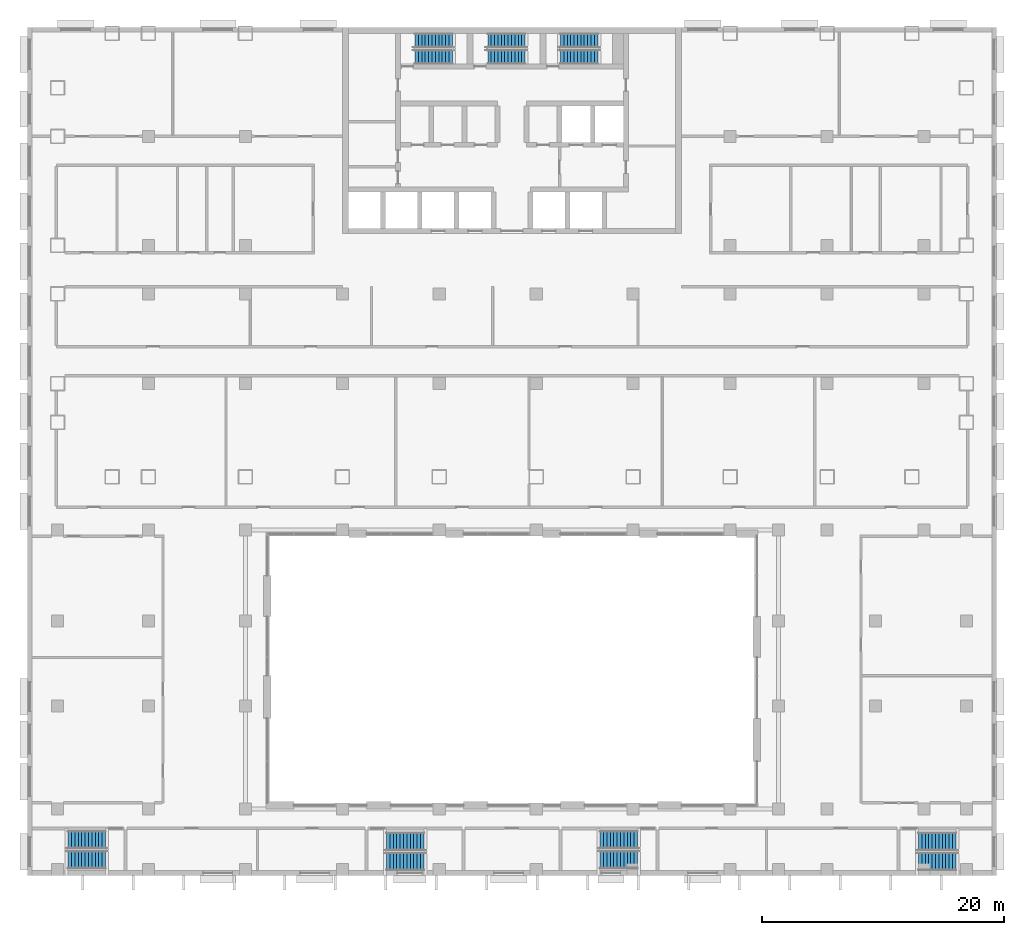
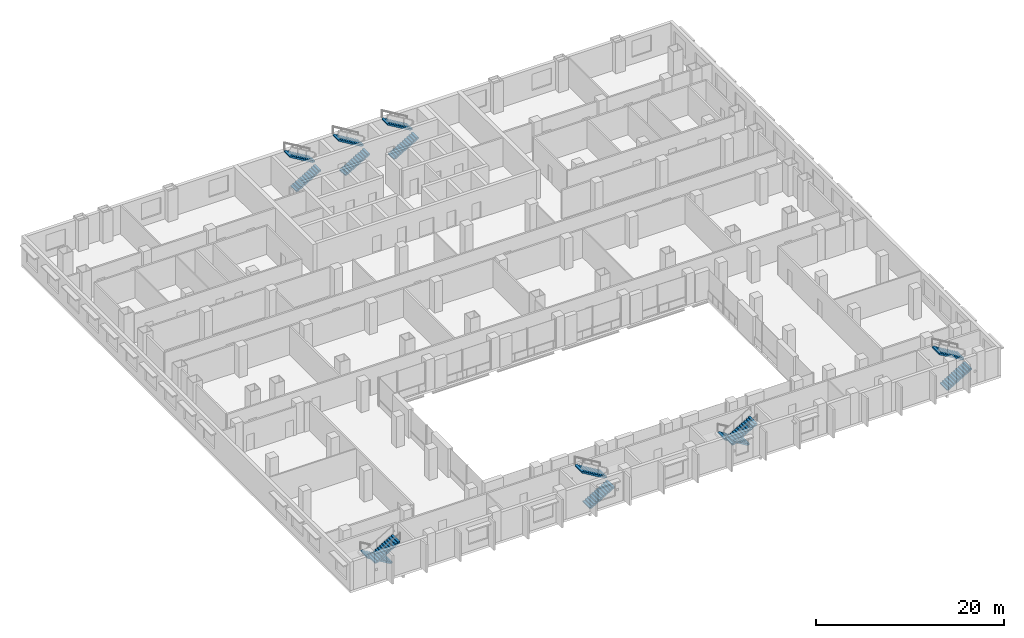
# One storey, part 16 of 25: 14 stair flights, 7 elements without a shape of their own.
"""IFC4 building model written with IfcOpenShell, lengths in metres."""

from ifc_helpers import new_model, si_unit, direction, frame, origin, place, context, subcontext, project, spatial, polyline, outline, extrude, material, type_object, element, aggregate, save


model = new_model("IFC4")

# Units and contexts
model_context = context("Model", 3, precision=1e-05, world=origin(), true_north=direction((0.0, 1.0)))
body_context = subcontext(model_context, "Body", "Model", "MODEL_VIEW")
ifc_project = project(units=[si_unit("LENGTHUNIT", "METRE"), si_unit("AREAUNIT", "SQUARE_METRE"), si_unit("VOLUMEUNIT", "CUBIC_METRE"), si_unit("PLANEANGLEUNIT", "RADIAN"), si_unit("MASSUNIT", "GRAM", prefix="KILO")], contexts=[model_context])

# Site, building, storey
site_placement = place(None, origin())
site = spatial("IfcSite", under=ifc_project, at=site_placement, CompositionType="ELEMENT")
building_placement = place(site_placement, origin())
building = spatial("IfcBuilding", under=site, at=building_placement, Name="Vidyagriha Tower", CompositionType="ELEMENT")
storey_placement = place(building_placement, frame((0.0, 0.0, 18.0)))
storey = spatial("IfcBuildingStorey", under=building, at=storey_placement, Name="L04", CompositionType="ELEMENT", Elevation=18.0)

# Stair, stair flights
ifc_material_1 = material(Name="Concrete C40/50", Category="concrete")
stair_type_1 = type_object("IfcStairType", Name="Exit stair, half-turn, precast flights", PredefinedType="HALF_TURN_STAIR", material=ifc_material_1)
stair_1_placement = place(storey_placement, origin())
stair_1 = element("IfcStair", 1, at=stair_1_placement, inside=storey, type_object=stair_type_1, Name="L04 Exit Stair ST1", PredefinedType="HALF_TURN_STAIR")
ifc_material_2 = material(Name="Precast concrete C40/50", Category="concrete")
stair_flight_type_1 = type_object("IfcStairFlightType", Name="Exit stair flight 1200 mm, precast", PredefinedType="STRAIGHT", material=ifc_material_2)
stair_flight_1_placement = place(storey_placement, frame((-8.0, 17.550048828125, 0.0)))
stair_flight_1 = element("IfcStairFlight", 2, at=stair_flight_1_placement, type_object=stair_flight_type_1, Name="ST1 flight 1", NumberOfRisers=12, NumberOfTreads=11, PredefinedType="STRAIGHT", RiserHeight=0.166666667, TreadLength=0.28, context=body_context, shape_type="SweptSolid", body=[
    extrude(outline(polyline([(0.0, 0.0), (0.0, 0.166748046875), (0.280029296875, 0.166748046875), (0.280029296875, 0.333251953125), (0.56005859375, 0.333251953125), (0.56005859375, 0.5), (0.840087890625, 0.5), (0.840087890625, 0.666748046875), (1.1201171875, 0.666748046875), (1.1201171875, 0.833251953125), (1.39990234375, 0.833251953125), (1.39990234375, 1.0), (1.679931640625, 1.0), (1.679931640625, 1.166748046875), (1.9599609375, 1.166748046875), (1.9599609375, 1.333251953125), (2.239990234375, 1.333251953125), (2.239990234375, 1.5), (2.52001953125, 1.5), (2.52001953125, 1.666748046875), (2.800048828125, 1.666748046875), (2.800048828125, 1.833251953125), (3.080078125, 1.833251953125), (3.080078125, 2.0), (3.080078125, 1.658935546875), (0.29296875, 0.0), (0.0, 0.0)])), frame((0.0, 0.60009765625, 0.0), z_axis=(0.0, -1.0, 0.0), x_axis=(1.0, 0.0, 0.0)), (0.0, 0.0, 1.0), 1.199951171875),
])
stair_flight_2_placement = place(storey_placement, frame((-4.919921875, 18.89990234375, 2.0), z_axis=(0.0, 0.0, 1.0), x_axis=(-1.0, 0.0, 0.0)))
stair_flight_2 = element("IfcStairFlight", 3, at=stair_flight_2_placement, type_object=stair_flight_type_1, Name="ST1 flight 2", NumberOfRisers=12, NumberOfTreads=11, PredefinedType="STRAIGHT", RiserHeight=0.166666667, TreadLength=0.28, context=body_context, shape_type="SweptSolid", body=[
    extrude(outline(polyline([(0.0, 0.0), (0.0, 0.166748046875), (0.280029296875, 0.166748046875), (0.280029296875, 0.333251953125), (0.56005859375, 0.333251953125), (0.56005859375, 0.5), (0.840087890625, 0.5), (0.840087890625, 0.666748046875), (1.1201171875, 0.666748046875), (1.1201171875, 0.833251953125), (1.39990234375, 0.833251953125), (1.39990234375, 1.0), (1.679931640625, 1.0), (1.679931640625, 1.166748046875), (1.9599609375, 1.166748046875), (1.9599609375, 1.333251953125), (2.239990234375, 1.333251953125), (2.239990234375, 1.5), (2.52001953125, 1.5), (2.52001953125, 1.666748046875), (2.800048828125, 1.666748046875), (2.800048828125, 1.833251953125), (3.080078125, 1.833251953125), (3.080078125, 2.0), (3.080078125, 1.658935546875), (0.29296875, 0.0), (0.0, 0.0)])), frame((0.0, 0.60009765625, 0.0), z_axis=(0.0, -1.0, 0.0), x_axis=(1.0, 0.0, 0.0)), (0.0, 0.0, 1.0), 1.199951171875),
])
aggregate(stair_1, [stair_flight_1, stair_flight_2])

stair_2_placement = place(storey_placement, origin())
stair_2 = element("IfcStair", 4, at=stair_2_placement, inside=storey, type_object=stair_type_1, Name="L04 Exit Stair ST2", PredefinedType="HALF_TURN_STAIR")
stair_flight_3_placement = place(storey_placement, frame((-2.0, 17.550048828125, 0.0)))
stair_flight_3 = element("IfcStairFlight", 5, at=stair_flight_3_placement, type_object=stair_flight_type_1, Name="ST2 flight 1", NumberOfRisers=12, NumberOfTreads=11, PredefinedType="STRAIGHT", RiserHeight=0.166666667, TreadLength=0.28, context=body_context, shape_type="SweptSolid", body=[
    extrude(outline(polyline([(0.0, 0.0), (0.0, 0.166748046875), (0.280029296875, 0.166748046875), (0.280029296875, 0.333251953125), (0.56005859375, 0.333251953125), (0.56005859375, 0.5), (0.840087890625, 0.5), (0.840087890625, 0.666748046875), (1.1201171875, 0.666748046875), (1.1201171875, 0.833251953125), (1.39990234375, 0.833251953125), (1.39990234375, 1.0), (1.679931640625, 1.0), (1.679931640625, 1.166748046875), (1.9599609375, 1.166748046875), (1.9599609375, 1.333251953125), (2.239990234375, 1.333251953125), (2.239990234375, 1.5), (2.52001953125, 1.5), (2.52001953125, 1.666748046875), (2.800048828125, 1.666748046875), (2.800048828125, 1.833251953125), (3.080078125, 1.833251953125), (3.080078125, 2.0), (3.080078125, 1.658935546875), (0.29296875, 0.0), (0.0, 0.0)])), frame((0.0, 0.60009765625, 0.0), z_axis=(0.0, -1.0, 0.0), x_axis=(1.0, 0.0, 0.0)), (0.0, 0.0, 1.0), 1.199951171875),
])
stair_flight_4_placement = place(storey_placement, frame((1.080078125, 18.89990234375, 2.0), z_axis=(0.0, 0.0, 1.0), x_axis=(-1.0, 0.0, 0.0)))
stair_flight_4 = element("IfcStairFlight", 6, at=stair_flight_4_placement, type_object=stair_flight_type_1, Name="ST2 flight 2", NumberOfRisers=12, NumberOfTreads=11, PredefinedType="STRAIGHT", RiserHeight=0.166666667, TreadLength=0.28, context=body_context, shape_type="SweptSolid", body=[
    extrude(outline(polyline([(0.0, 0.0), (0.0, 0.166748046875), (0.280029296875, 0.166748046875), (0.280029296875, 0.333251953125), (0.56005859375, 0.333251953125), (0.56005859375, 0.5), (0.840087890625, 0.5), (0.840087890625, 0.666748046875), (1.1201171875, 0.666748046875), (1.1201171875, 0.833251953125), (1.39990234375, 0.833251953125), (1.39990234375, 1.0), (1.679931640625, 1.0), (1.679931640625, 1.166748046875), (1.9599609375, 1.166748046875), (1.9599609375, 1.333251953125), (2.239990234375, 1.333251953125), (2.239990234375, 1.5), (2.52001953125, 1.5), (2.52001953125, 1.666748046875), (2.800048828125, 1.666748046875), (2.800048828125, 1.833251953125), (3.080078125, 1.833251953125), (3.080078125, 2.0), (3.080078125, 1.658935546875), (0.29296875, 0.0), (0.0, 0.0)])), frame((0.0, 0.60009765625, 0.0), z_axis=(0.0, -1.0, 0.0), x_axis=(1.0, 0.0, 0.0)), (0.0, 0.0, 1.0), 1.199951171875),
])
aggregate(stair_2, [stair_flight_3, stair_flight_4])

stair_3_placement = place(storey_placement, origin())
stair_3 = element("IfcStair", 7, at=stair_3_placement, inside=storey, type_object=stair_type_1, Name="L04 Exit Stair ST3", PredefinedType="HALF_TURN_STAIR")
stair_flight_5_placement = place(storey_placement, frame((4.0, 17.550048828125, 0.0)))
stair_flight_5 = element("IfcStairFlight", 8, at=stair_flight_5_placement, type_object=stair_flight_type_1, Name="ST3 flight 1", NumberOfRisers=12, NumberOfTreads=11, PredefinedType="STRAIGHT", RiserHeight=0.166666667, TreadLength=0.28, context=body_context, shape_type="SweptSolid", body=[
    extrude(outline(polyline([(0.0, 0.0), (0.0, 0.166748046875), (0.280029296875, 0.166748046875), (0.280029296875, 0.333251953125), (0.56005859375, 0.333251953125), (0.56005859375, 0.5), (0.840087890625, 0.5), (0.840087890625, 0.666748046875), (1.1201171875, 0.666748046875), (1.1201171875, 0.833251953125), (1.39990234375, 0.833251953125), (1.39990234375, 1.0), (1.679931640625, 1.0), (1.679931640625, 1.166748046875), (1.9599609375, 1.166748046875), (1.9599609375, 1.333251953125), (2.239990234375, 1.333251953125), (2.239990234375, 1.5), (2.52001953125, 1.5), (2.52001953125, 1.666748046875), (2.800048828125, 1.666748046875), (2.800048828125, 1.833251953125), (3.080078125, 1.833251953125), (3.080078125, 2.0), (3.080078125, 1.658935546875), (0.29296875, 0.0), (0.0, 0.0)])), frame((0.0, 0.60009765625, 0.0), z_axis=(0.0, -1.0, 0.0), x_axis=(1.0, 0.0, 0.0)), (0.0, 0.0, 1.0), 1.199951171875),
])
stair_flight_6_placement = place(storey_placement, frame((7.080078125, 18.89990234375, 2.0), z_axis=(0.0, 0.0, 1.0), x_axis=(-1.0, 0.0, 0.0)))
stair_flight_6 = element("IfcStairFlight", 9, at=stair_flight_6_placement, type_object=stair_flight_type_1, Name="ST3 flight 2", NumberOfRisers=12, NumberOfTreads=11, PredefinedType="STRAIGHT", RiserHeight=0.166666667, TreadLength=0.28, context=body_context, shape_type="SweptSolid", body=[
    extrude(outline(polyline([(0.0, 0.0), (0.0, 0.166748046875), (0.280029296875, 0.166748046875), (0.280029296875, 0.333251953125), (0.56005859375, 0.333251953125), (0.56005859375, 0.5), (0.840087890625, 0.5), (0.840087890625, 0.666748046875), (1.1201171875, 0.666748046875), (1.1201171875, 0.833251953125), (1.39990234375, 0.833251953125), (1.39990234375, 1.0), (1.679931640625, 1.0), (1.679931640625, 1.166748046875), (1.9599609375, 1.166748046875), (1.9599609375, 1.333251953125), (2.239990234375, 1.333251953125), (2.239990234375, 1.5), (2.52001953125, 1.5), (2.52001953125, 1.666748046875), (2.800048828125, 1.666748046875), (2.800048828125, 1.833251953125), (3.080078125, 1.833251953125), (3.080078125, 2.0), (3.080078125, 1.658935546875), (0.29296875, 0.0), (0.0, 0.0)])), frame((0.0, 0.60009765625, 0.0), z_axis=(0.0, -1.0, 0.0), x_axis=(1.0, 0.0, 0.0)), (0.0, 0.0, 1.0), 1.199951171875),
])
aggregate(stair_3, [stair_flight_5, stair_flight_6])

ifc_material_3 = material(Name="Concrete C32/40", Category="concrete")
stair_type_2 = type_object("IfcStairType", Name="Podium Exit Stair 1500", PredefinedType="HALF_TURN_STAIR", material=ifc_material_3)
stair_4_placement = place(storey_placement, origin())
stair_4 = element("IfcStair", 10, at=stair_4_placement, inside=storey, type_object=stair_type_2, Name="L04 Exit Stair PS1", PredefinedType="HALF_TURN_STAIR")
ifc_material_4 = material(Name="Concrete C32/40", Category="concrete")
stair_flight_type_2 = type_object("IfcStairFlightType", Name="Podium Stair Flight 1500", PredefinedType="STRAIGHT", material=ifc_material_4)
stair_flight_7_placement = place(storey_placement, frame((-33.544921875, -47.050048828125, 0.0), z_axis=(0.0, 0.0, 1.0), x_axis=(-1.0, 0.0, 0.0)))
stair_flight_7 = element("IfcStairFlight", 11, at=stair_flight_7_placement, type_object=stair_flight_type_2, Name="PS1 flight 1", NumberOfRisers=12, NumberOfTreads=11, PredefinedType="STRAIGHT", RiserHeight=0.166666667, TreadLength=0.28, context=body_context, shape_type="SweptSolid", body=[
    extrude(outline(polyline([(0.0, 0.0), (0.0, 0.166748046875), (0.280029296875, 0.166748046875), (0.280029296875, 0.333251953125), (0.56005859375, 0.333251953125), (0.56005859375, 0.5), (0.840087890625, 0.5), (0.840087890625, 0.666748046875), (1.1201171875, 0.666748046875), (1.1201171875, 0.833251953125), (1.39990234375, 0.833251953125), (1.39990234375, 1.0), (1.679931640625, 1.0), (1.679931640625, 1.166748046875), (1.9599609375, 1.166748046875), (1.9599609375, 1.333251953125), (2.239990234375, 1.333251953125), (2.239990234375, 1.5), (2.52001953125, 1.5), (2.52001953125, 1.666748046875), (2.800048828125, 1.666748046875), (2.800048828125, 1.833251953125), (3.080078125, 1.833251953125), (3.080078125, 2.0), (3.080078125, 1.658935546875), (0.29296875, 0.0), (0.0, 0.0)])), frame((0.0, 0.75, 0.0), z_axis=(0.0, -1.0, 0.0), x_axis=(1.0, 0.0, 0.0)), (0.0, 0.0, 1.0), 1.5),
])
stair_flight_8_placement = place(storey_placement, frame((-36.625, -48.699951171875, 2.0)))
stair_flight_8 = element("IfcStairFlight", 12, at=stair_flight_8_placement, type_object=stair_flight_type_2, Name="PS1 flight 2", NumberOfRisers=12, NumberOfTreads=11, PredefinedType="STRAIGHT", RiserHeight=0.166666667, TreadLength=0.28, context=body_context, shape_type="SweptSolid", body=[
    extrude(outline(polyline([(0.0, 0.0), (0.0, 0.166748046875), (0.280029296875, 0.166748046875), (0.280029296875, 0.333251953125), (0.56005859375, 0.333251953125), (0.56005859375, 0.5), (0.840087890625, 0.5), (0.840087890625, 0.666748046875), (1.1201171875, 0.666748046875), (1.1201171875, 0.833251953125), (1.39990234375, 0.833251953125), (1.39990234375, 1.0), (1.679931640625, 1.0), (1.679931640625, 1.166748046875), (1.9599609375, 1.166748046875), (1.9599609375, 1.333251953125), (2.239990234375, 1.333251953125), (2.239990234375, 1.5), (2.52001953125, 1.5), (2.52001953125, 1.666748046875), (2.800048828125, 1.666748046875), (2.800048828125, 1.833251953125), (3.080078125, 1.833251953125), (3.080078125, 2.0), (3.080078125, 1.658935546875), (0.29296875, 0.0), (0.0, 0.0)])), frame((0.0, 0.75, 0.0), z_axis=(0.0, -1.0, 0.0), x_axis=(1.0, 0.0, 0.0)), (0.0, 0.0, 1.0), 1.5),
])
aggregate(stair_4, [stair_flight_7, stair_flight_8])

stair_5_placement = place(storey_placement, origin())
stair_5 = element("IfcStair", 13, at=stair_5_placement, inside=storey, type_object=stair_type_2, Name="L04 Exit Stair PS2", PredefinedType="HALF_TURN_STAIR")
stair_flight_9_placement = place(storey_placement, frame((33.544921875, -48.85009765625, 0.0)))
stair_flight_9 = element("IfcStairFlight", 14, at=stair_flight_9_placement, type_object=stair_flight_type_2, Name="PS2 flight 1", NumberOfRisers=12, NumberOfTreads=11, PredefinedType="STRAIGHT", RiserHeight=0.166666667, TreadLength=0.28, context=body_context, shape_type="SweptSolid", body=[
    extrude(outline(polyline([(0.0, 0.0), (0.0, 0.166748046875), (0.280029296875, 0.166748046875), (0.280029296875, 0.333251953125), (0.56005859375, 0.333251953125), (0.56005859375, 0.5), (0.840087890625, 0.5), (0.840087890625, 0.666748046875), (1.1201171875, 0.666748046875), (1.1201171875, 0.833251953125), (1.39990234375, 0.833251953125), (1.39990234375, 1.0), (1.679931640625, 1.0), (1.679931640625, 1.166748046875), (1.9599609375, 1.166748046875), (1.9599609375, 1.333251953125), (2.239990234375, 1.333251953125), (2.239990234375, 1.5), (2.52001953125, 1.5), (2.52001953125, 1.666748046875), (2.800048828125, 1.666748046875), (2.800048828125, 1.833251953125), (3.080078125, 1.833251953125), (3.080078125, 2.0), (3.080078125, 1.658935546875), (0.29296875, 0.0), (0.0, 0.0)])), frame((0.0, 0.75, 0.0), z_axis=(0.0, -1.0, 0.0), x_axis=(1.0, 0.0, 0.0)), (0.0, 0.0, 1.0), 1.5),
])
stair_flight_10_placement = place(storey_placement, frame((36.625, -47.199951171875, 2.0), z_axis=(0.0, 0.0, 1.0), x_axis=(-1.0, 0.0, 0.0)))
stair_flight_10 = element("IfcStairFlight", 15, at=stair_flight_10_placement, type_object=stair_flight_type_2, Name="PS2 flight 2", NumberOfRisers=12, NumberOfTreads=11, PredefinedType="STRAIGHT", RiserHeight=0.166666667, TreadLength=0.28, context=body_context, shape_type="SweptSolid", body=[
    extrude(outline(polyline([(0.0, 0.0), (0.0, 0.166748046875), (0.280029296875, 0.166748046875), (0.280029296875, 0.333251953125), (0.56005859375, 0.333251953125), (0.56005859375, 0.5), (0.840087890625, 0.5), (0.840087890625, 0.666748046875), (1.1201171875, 0.666748046875), (1.1201171875, 0.833251953125), (1.39990234375, 0.833251953125), (1.39990234375, 1.0), (1.679931640625, 1.0), (1.679931640625, 1.166748046875), (1.9599609375, 1.166748046875), (1.9599609375, 1.333251953125), (2.239990234375, 1.333251953125), (2.239990234375, 1.5), (2.52001953125, 1.5), (2.52001953125, 1.666748046875), (2.800048828125, 1.666748046875), (2.800048828125, 1.833251953125), (3.080078125, 1.833251953125), (3.080078125, 2.0), (3.080078125, 1.658935546875), (0.29296875, 0.0), (0.0, 0.0)])), frame((0.0, 0.75, 0.0), z_axis=(0.0, -1.0, 0.0), x_axis=(1.0, 0.0, 0.0)), (0.0, 0.0, 1.0), 1.5),
])
aggregate(stair_5, [stair_flight_9, stair_flight_10])

stair_6_placement = place(storey_placement, origin())
stair_6 = element("IfcStair", 16, at=stair_6_placement, inside=storey, type_object=stair_type_2, Name="L04 Exit Stair PS3", PredefinedType="HALF_TURN_STAIR")
stair_flight_11_placement = place(storey_placement, frame((-10.35498046875, -48.85009765625, 0.0)))
stair_flight_11 = element("IfcStairFlight", 17, at=stair_flight_11_placement, type_object=stair_flight_type_2, Name="PS3 flight 1", NumberOfRisers=12, NumberOfTreads=11, PredefinedType="STRAIGHT", RiserHeight=0.166666667, TreadLength=0.28, context=body_context, shape_type="SweptSolid", body=[
    extrude(outline(polyline([(0.0, 0.0), (0.0, 0.166748046875), (0.280029296875, 0.166748046875), (0.280029296875, 0.333251953125), (0.56005859375, 0.333251953125), (0.56005859375, 0.5), (0.840087890625, 0.5), (0.840087890625, 0.666748046875), (1.1201171875, 0.666748046875), (1.1201171875, 0.833251953125), (1.39990234375, 0.833251953125), (1.39990234375, 1.0), (1.679931640625, 1.0), (1.679931640625, 1.166748046875), (1.9599609375, 1.166748046875), (1.9599609375, 1.333251953125), (2.239990234375, 1.333251953125), (2.239990234375, 1.5), (2.52001953125, 1.5), (2.52001953125, 1.666748046875), (2.800048828125, 1.666748046875), (2.800048828125, 1.833251953125), (3.080078125, 1.833251953125), (3.080078125, 2.0), (3.080078125, 1.658935546875), (0.29296875, 0.0), (0.0, 0.0)])), frame((0.0, 0.75, 0.0), z_axis=(0.0, -1.0, 0.0), x_axis=(1.0, 0.0, 0.0)), (0.0, 0.0, 1.0), 1.5),
])
stair_flight_12_placement = place(storey_placement, frame((-7.27490234375, -47.199951171875, 2.0), z_axis=(0.0, 0.0, 1.0), x_axis=(-1.0, 0.0, 0.0)))
stair_flight_12 = element("IfcStairFlight", 18, at=stair_flight_12_placement, type_object=stair_flight_type_2, Name="PS3 flight 2", NumberOfRisers=12, NumberOfTreads=11, PredefinedType="STRAIGHT", RiserHeight=0.166666667, TreadLength=0.28, context=body_context, shape_type="SweptSolid", body=[
    extrude(outline(polyline([(0.0, 0.0), (0.0, 0.166748046875), (0.280029296875, 0.166748046875), (0.280029296875, 0.333251953125), (0.56005859375, 0.333251953125), (0.56005859375, 0.5), (0.840087890625, 0.5), (0.840087890625, 0.666748046875), (1.1201171875, 0.666748046875), (1.1201171875, 0.833251953125), (1.39990234375, 0.833251953125), (1.39990234375, 1.0), (1.679931640625, 1.0), (1.679931640625, 1.166748046875), (1.9599609375, 1.166748046875), (1.9599609375, 1.333251953125), (2.239990234375, 1.333251953125), (2.239990234375, 1.5), (2.52001953125, 1.5), (2.52001953125, 1.666748046875), (2.800048828125, 1.666748046875), (2.800048828125, 1.833251953125), (3.080078125, 1.833251953125), (3.080078125, 2.0), (3.080078125, 1.658935546875), (0.29296875, 0.0), (0.0, 0.0)])), frame((0.0, 0.75, 0.0), z_axis=(0.0, -1.0, 0.0), x_axis=(1.0, 0.0, 0.0)), (0.0, 0.0, 1.0), 1.5),
])
aggregate(stair_6, [stair_flight_11, stair_flight_12])

stair_7_placement = place(storey_placement, origin())
stair_7 = element("IfcStair", 19, at=stair_7_placement, inside=storey, type_object=stair_type_2, Name="L04 Exit Stair PS4", PredefinedType="HALF_TURN_STAIR")
stair_flight_13_placement = place(storey_placement, frame((10.35498046875, -47.050048828125, 0.0), z_axis=(0.0, 0.0, 1.0), x_axis=(-1.0, 0.0, 0.0)))
stair_flight_13 = element("IfcStairFlight", 20, at=stair_flight_13_placement, type_object=stair_flight_type_2, Name="PS4 flight 1", NumberOfRisers=12, NumberOfTreads=11, PredefinedType="STRAIGHT", RiserHeight=0.166666667, TreadLength=0.28, context=body_context, shape_type="SweptSolid", body=[
    extrude(outline(polyline([(0.0, 0.0), (0.0, 0.166748046875), (0.280029296875, 0.166748046875), (0.280029296875, 0.333251953125), (0.56005859375, 0.333251953125), (0.56005859375, 0.5), (0.840087890625, 0.5), (0.840087890625, 0.666748046875), (1.1201171875, 0.666748046875), (1.1201171875, 0.833251953125), (1.39990234375, 0.833251953125), (1.39990234375, 1.0), (1.679931640625, 1.0), (1.679931640625, 1.166748046875), (1.9599609375, 1.166748046875), (1.9599609375, 1.333251953125), (2.239990234375, 1.333251953125), (2.239990234375, 1.5), (2.52001953125, 1.5), (2.52001953125, 1.666748046875), (2.800048828125, 1.666748046875), (2.800048828125, 1.833251953125), (3.080078125, 1.833251953125), (3.080078125, 2.0), (3.080078125, 1.658935546875), (0.29296875, 0.0), (0.0, 0.0)])), frame((0.0, 0.75, 0.0), z_axis=(0.0, -1.0, 0.0), x_axis=(1.0, 0.0, 0.0)), (0.0, 0.0, 1.0), 1.5),
])
stair_flight_14_placement = place(storey_placement, frame((7.27490234375, -48.699951171875, 2.0)))
stair_flight_14 = element("IfcStairFlight", 21, at=stair_flight_14_placement, type_object=stair_flight_type_2, Name="PS4 flight 2", NumberOfRisers=12, NumberOfTreads=11, PredefinedType="STRAIGHT", RiserHeight=0.166666667, TreadLength=0.28, context=body_context, shape_type="SweptSolid", body=[
    extrude(outline(polyline([(0.0, 0.0), (0.0, 0.166748046875), (0.280029296875, 0.166748046875), (0.280029296875, 0.333251953125), (0.56005859375, 0.333251953125), (0.56005859375, 0.5), (0.840087890625, 0.5), (0.840087890625, 0.666748046875), (1.1201171875, 0.666748046875), (1.1201171875, 0.833251953125), (1.39990234375, 0.833251953125), (1.39990234375, 1.0), (1.679931640625, 1.0), (1.679931640625, 1.166748046875), (1.9599609375, 1.166748046875), (1.9599609375, 1.333251953125), (2.239990234375, 1.333251953125), (2.239990234375, 1.5), (2.52001953125, 1.5), (2.52001953125, 1.666748046875), (2.800048828125, 1.666748046875), (2.800048828125, 1.833251953125), (3.080078125, 1.833251953125), (3.080078125, 2.0), (3.080078125, 1.658935546875), (0.29296875, 0.0), (0.0, 0.0)])), frame((0.0, 0.75, 0.0), z_axis=(0.0, -1.0, 0.0), x_axis=(1.0, 0.0, 0.0)), (0.0, 0.0, 1.0), 1.5),
])
aggregate(stair_7, [stair_flight_13, stair_flight_14])

save(model, "model.ifc")
